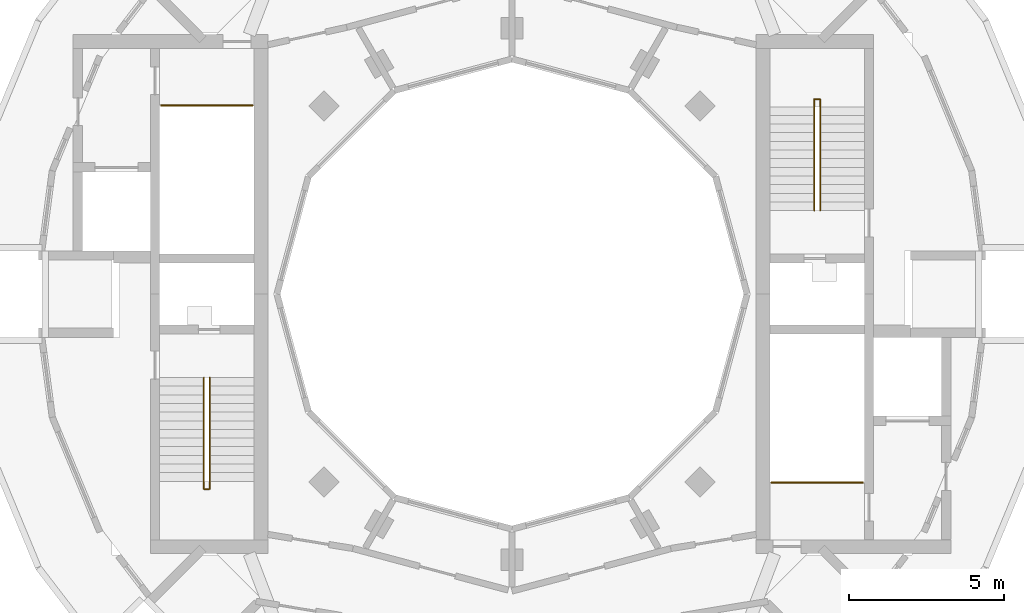
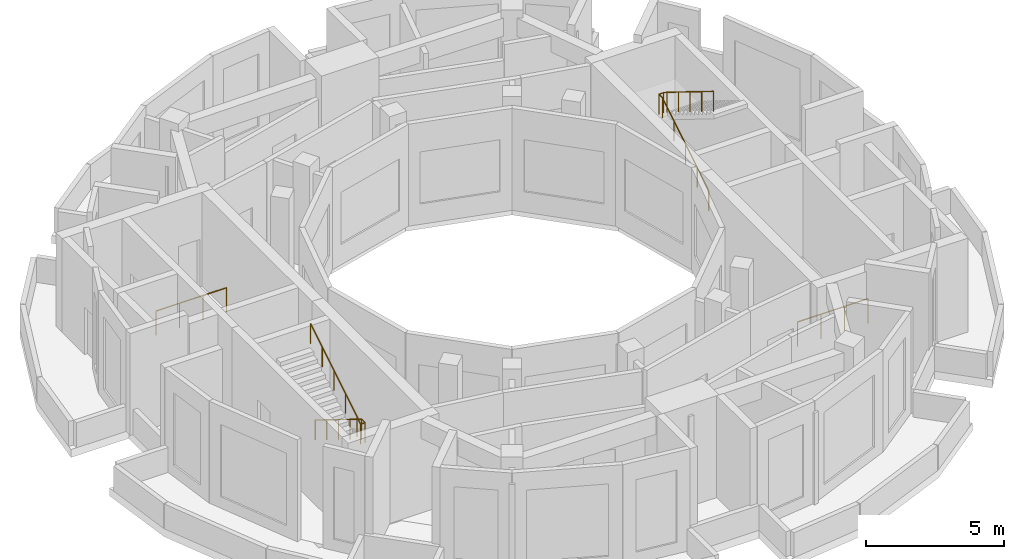
# One storey, part 7 of 7: 4 railings.
"""IFC4 building model written with IfcOpenShell, lengths in metres."""

from ifc_helpers import new_model, si_unit, direction, frame, origin, origin_2d, place, context, subcontext, project, spatial, circle, extrude, material, type_object, element, save


model = new_model("IFC4")

# Units and contexts
model_context = context("Model", 3, precision=1e-05, world=origin(), true_north=direction((0.0, 1.0)))
body_context = subcontext(model_context, "Body", "Model", "MODEL_VIEW")
ifc_project = project(units=[si_unit("LENGTHUNIT", "METRE"), si_unit("AREAUNIT", "SQUARE_METRE"), si_unit("VOLUMEUNIT", "CUBIC_METRE"), si_unit("PLANEANGLEUNIT", "RADIAN"), si_unit("MASSUNIT", "GRAM", prefix="KILO")], contexts=[model_context])

# Site, building, storey
site_placement = place(None, origin())
site = spatial("IfcSite", under=ifc_project, at=site_placement, CompositionType="ELEMENT")
building_placement = place(site_placement, origin())
building = spatial("IfcBuilding", under=site, at=building_placement, Name="Torre Brocal", CompositionType="ELEMENT")
storey_placement = place(building_placement, frame((0.0, 0.0, 333.10009765625)))
storey = spatial("IfcBuildingStorey", under=building, at=storey_placement, Name="L76", CompositionType="ELEMENT", Elevation=333.10009765625)

# Railings
ifc_material_1 = material(Name="Stainless steel AISI 316", Category="steel")
railing_type_1 = type_object("IfcRailingType", Name="STAIR GUARD", PredefinedType="GUARDRAIL", material=ifc_material_1)
railing_1_placement = place(storey_placement, frame((88.39990234375, 68.89990234375, 0.0)))
element("IfcRailing", 1, at=railing_1_placement, inside=storey, type_object=railing_type_1, Name="GUARD ST2", PredefinedType="GUARDRAIL", context=body_context, shape_type="SweptSolid", body=[
    extrude(circle(Radius=0.02392578125, at=origin_2d()), frame((0.0, 0.0, 1.076171875), z_axis=(1.0, 0.0, 0.0), x_axis=(0.0, 1.0, 0.0)), (0.0, 0.0, 1.0), 2.9501953125),
    extrude(circle(Radius=0.02099609375, at=origin_2d()), origin(), (0.0, 0.0, 1.0), 1.052001953125),
    extrude(circle(Radius=0.02099609375, at=origin_2d()), frame((0.9833984375, 0.0, 0.0)), (0.0, 0.0, 1.0), 1.052001953125),
    extrude(circle(Radius=0.02099609375, at=origin_2d()), frame((1.966796875, 0.0, 0.0)), (0.0, 0.0, 1.0), 1.052001953125),
    extrude(circle(Radius=0.02099609375, at=origin_2d()), frame((2.9501953125, 0.0, 0.0)), (0.0, 0.0, 1.0), 1.052001953125),
])
railing_2_placement = place(storey_placement, frame((71.60009765625, 81.10009765625, 0.0)))
element("IfcRailing", 2, at=railing_2_placement, inside=storey, type_object=railing_type_1, Name="GUARD ST4", PredefinedType="GUARDRAIL", context=body_context, shape_type="SweptSolid", body=[
    extrude(circle(Radius=0.02392578125, at=origin_2d()), frame((0.0, 0.0, 1.076171875), z_axis=(-1.0, 0.0, 0.0), x_axis=(0.0, -1.0, 0.0)), (0.0, 0.0, 1.0), 2.9501953125),
    extrude(circle(Radius=0.02099609375, at=origin_2d()), origin(), (0.0, 0.0, 1.0), 1.052001953125),
    extrude(circle(Radius=0.02099609375, at=origin_2d()), frame((-0.9833984375, 0.0, 0.0)), (0.0, 0.0, 1.0), 1.052001953125),
    extrude(circle(Radius=0.02099609375, at=origin_2d()), frame((-1.966796875, 0.0, 0.0)), (0.0, 0.0, 1.0), 1.052001953125),
    extrude(circle(Radius=0.02099609375, at=origin_2d()), frame((-2.9501953125, 0.0, 0.0)), (0.0, 0.0, 1.0), 1.052001953125),
])
ifc_material_2 = material(Name="Stainless steel AISI 316", Category="steel")
railing_type_2 = type_object("IfcRailingType", Name="STAIR HANDRAIL", PredefinedType="HANDRAIL", material=ifc_material_2)
railing_3_placement = place(storey_placement, frame((89.780029296875, 77.699951171875, 0.173095703125)))
element("IfcRailing", 3, at=railing_3_placement, inside=storey, type_object=railing_type_2, Name="HANDRAIL ST1", PredefinedType="HANDRAIL", context=body_context, shape_type="SweptSolid", body=[
    extrude(circle(Radius=0.02392578125, at=origin_2d()), frame((0.0, 0.0, 0.8759765625), z_axis=(0.0, 0.850623216509, 0.525775754039), x_axis=(-1.0, 0.0, 0.0)), (0.0, 0.0, 1.0), 3.9501953125),
    extrude(circle(Radius=0.02392578125, at=origin_2d()), frame((0.0, 3.360107421875, 2.95263671875), z_axis=(0.0, 1.0, 0.0), x_axis=(-1.0, 0.0, 0.0)), (0.0, 0.0, 1.0), 0.25),
    extrude(circle(Radius=0.02392578125, at=origin_2d()), frame((0.0, 3.610107421875, 2.95263671875), z_axis=(1.0, 0.0, 0.0), x_axis=(0.0, 1.0, 0.0)), (0.0, 0.0, 1.0), 0.18994140625),
    extrude(circle(Radius=0.02392578125, at=origin_2d()), frame((0.18994140625, 3.610107421875, 2.95263671875), z_axis=(0.0, -0.822163286406, 0.569251728576), x_axis=(1.0, 0.0, 0.0)), (0.0, 0.0, 1.0), 0.303955078125),
    extrude(circle(Radius=0.02392578125, at=origin_2d()), frame((0.18994140625, 3.360107421875, 3.1259765625), z_axis=(0.0, -0.850623216509, 0.525775754039), x_axis=(1.0, 0.0, 0.0)), (0.0, 0.0, 1.0), 3.9501953125),
    extrude(circle(Radius=0.02099609375, at=origin_2d()), origin(), (0.0, 0.0, 1.0), 0.851806640625),
    extrude(circle(Radius=0.02099609375, at=origin_2d()), frame((0.0, 0.840087890625, 0.519287109375)), (0.0, 0.0, 1.0), 0.851806640625),
    extrude(circle(Radius=0.02099609375, at=origin_2d()), frame((0.0, 1.68017578125, 1.03857421875)), (0.0, 0.0, 1.0), 0.851806640625),
    extrude(circle(Radius=0.02099609375, at=origin_2d()), frame((0.0, 2.52001953125, 1.5576171875)), (0.0, 0.0, 1.0), 0.851806640625),
    extrude(circle(Radius=0.02099609375, at=origin_2d()), frame((0.0, 3.360107421875, 2.076904296875)), (0.0, 0.0, 1.0), 0.851806640625),
    extrude(circle(Radius=0.02099609375, at=origin_2d()), frame((0.0, 3.610107421875, 2.076904296875)), (0.0, 0.0, 1.0), 0.851806640625),
    extrude(circle(Radius=0.02099609375, at=origin_2d()), frame((0.18994140625, 3.610107421875, 2.076904296875)), (0.0, 0.0, 1.0), 0.851806640625),
    extrude(circle(Radius=0.02099609375, at=origin_2d()), frame((0.18994140625, 3.360107421875, 2.25)), (0.0, 0.0, 1.0), 0.851806640625),
    extrude(circle(Radius=0.02099609375, at=origin_2d()), frame((0.18994140625, 2.52001953125, 2.769287109375)), (0.0, 0.0, 1.0), 0.851806640625),
    extrude(circle(Radius=0.02099609375, at=origin_2d()), frame((0.18994140625, 1.68017578125, 3.28857421875)), (0.0, 0.0, 1.0), 0.851806640625),
    extrude(circle(Radius=0.02099609375, at=origin_2d()), frame((0.18994140625, 0.840087890625, 3.8076171875)), (0.0, 0.0, 1.0), 0.851806640625),
    extrude(circle(Radius=0.02099609375, at=origin_2d()), frame((0.18994140625, 0.0, 4.326904296875)), (0.0, 0.0, 1.0), 0.851806640625),
])
railing_4_placement = place(storey_placement, frame((70.219970703125, 72.300048828125, 0.173095703125)))
element("IfcRailing", 4, at=railing_4_placement, inside=storey, type_object=railing_type_2, Name="HANDRAIL ST3", PredefinedType="HANDRAIL", context=body_context, shape_type="SweptSolid", body=[
    extrude(circle(Radius=0.02392578125, at=origin_2d()), frame((0.0, 0.0, 0.8759765625), z_axis=(0.0, -0.850623216509, 0.525775754039), x_axis=(1.0, 0.0, 0.0)), (0.0, 0.0, 1.0), 3.9501953125),
    extrude(circle(Radius=0.02392578125, at=origin_2d()), frame((0.0, -3.360107421875, 2.95263671875), z_axis=(0.0, -1.0, 0.0), x_axis=(1.0, 0.0, 0.0)), (0.0, 0.0, 1.0), 0.25),
    extrude(circle(Radius=0.02392578125, at=origin_2d()), frame((0.0, -3.610107421875, 2.95263671875), z_axis=(-1.0, 0.0, 0.0), x_axis=(0.0, -1.0, 0.0)), (0.0, 0.0, 1.0), 0.18994140625),
    extrude(circle(Radius=0.02392578125, at=origin_2d()), frame((-0.18994140625, -3.610107421875, 2.95263671875), z_axis=(0.0, 0.822163286406, 0.569251728576), x_axis=(-1.0, 0.0, 0.0)), (0.0, 0.0, 1.0), 0.303955078125),
    extrude(circle(Radius=0.02392578125, at=origin_2d()), frame((-0.18994140625, -3.360107421875, 3.1259765625), z_axis=(0.0, 0.850623216509, 0.525775754039), x_axis=(-1.0, 0.0, 0.0)), (0.0, 0.0, 1.0), 3.9501953125),
    extrude(circle(Radius=0.02099609375, at=origin_2d()), origin(), (0.0, 0.0, 1.0), 0.851806640625),
    extrude(circle(Radius=0.02099609375, at=origin_2d()), frame((0.0, -0.840087890625, 0.519287109375)), (0.0, 0.0, 1.0), 0.851806640625),
    extrude(circle(Radius=0.02099609375, at=origin_2d()), frame((0.0, -1.68017578125, 1.03857421875)), (0.0, 0.0, 1.0), 0.851806640625),
    extrude(circle(Radius=0.02099609375, at=origin_2d()), frame((0.0, -2.52001953125, 1.5576171875)), (0.0, 0.0, 1.0), 0.851806640625),
    extrude(circle(Radius=0.02099609375, at=origin_2d()), frame((0.0, -3.360107421875, 2.076904296875)), (0.0, 0.0, 1.0), 0.851806640625),
    extrude(circle(Radius=0.02099609375, at=origin_2d()), frame((0.0, -3.610107421875, 2.076904296875)), (0.0, 0.0, 1.0), 0.851806640625),
    extrude(circle(Radius=0.02099609375, at=origin_2d()), frame((-0.18994140625, -3.610107421875, 2.076904296875)), (0.0, 0.0, 1.0), 0.851806640625),
    extrude(circle(Radius=0.02099609375, at=origin_2d()), frame((-0.18994140625, -3.360107421875, 2.25)), (0.0, 0.0, 1.0), 0.851806640625),
    extrude(circle(Radius=0.02099609375, at=origin_2d()), frame((-0.18994140625, -2.52001953125, 2.769287109375)), (0.0, 0.0, 1.0), 0.851806640625),
    extrude(circle(Radius=0.02099609375, at=origin_2d()), frame((-0.18994140625, -1.68017578125, 3.28857421875)), (0.0, 0.0, 1.0), 0.851806640625),
    extrude(circle(Radius=0.02099609375, at=origin_2d()), frame((-0.18994140625, -0.840087890625, 3.8076171875)), (0.0, 0.0, 1.0), 0.851806640625),
    extrude(circle(Radius=0.02099609375, at=origin_2d()), frame((-0.18994140625, 0.0, 4.326904296875)), (0.0, 0.0, 1.0), 0.851806640625),
])

save(model, "model.ifc")
